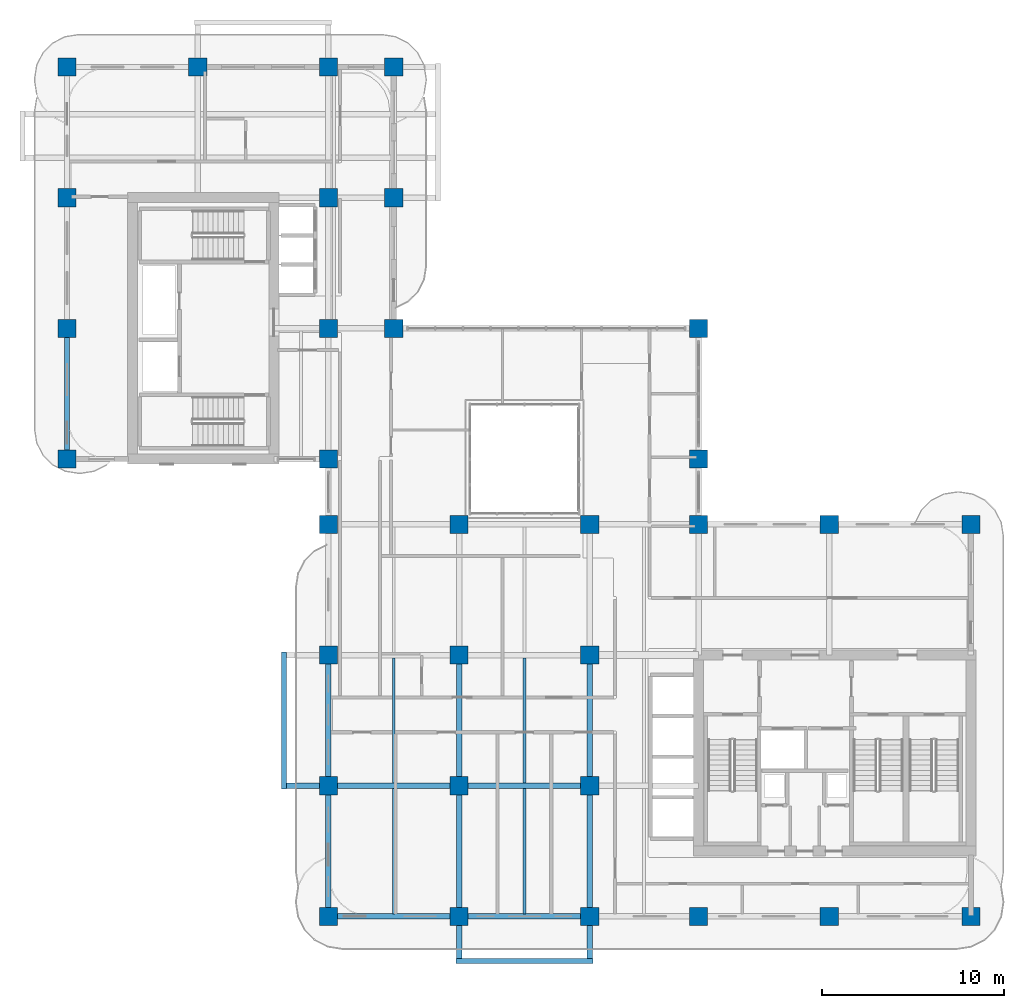
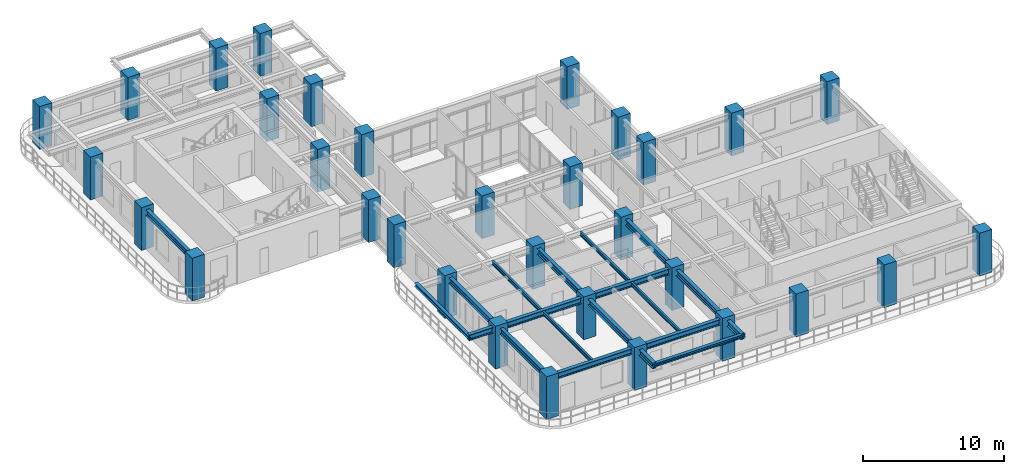
# One storey, part 1 of 21: 32 columns, 17 beams.
"""IFC4 building model written with IfcOpenShell, lengths in metres."""

from ifc_helpers import new_model, si_unit, derived_unit, direction, frame, origin, origin_2d, place, context, subcontext, project, spatial, rectangle, i_section, extrude, source, transform, mapped, material, material_profile, profile_set, type_object, type_shapes, element, save


model = new_model("IFC4")

# Units and contexts
model_context = context("Model", 3, precision=1e-05, world=origin(), true_north=direction((0.0, 1.0)))
body_context = subcontext(model_context, "Body", "Model", "MODEL_VIEW")
ifc_project = project(units=[si_unit("LENGTHUNIT", "METRE"), si_unit("AREAUNIT", "SQUARE_METRE"), si_unit("VOLUMEUNIT", "CUBIC_METRE"), si_unit("PLANEANGLEUNIT", "RADIAN"), si_unit("MASSUNIT", "GRAM", prefix="KILO"), si_unit("THERMODYNAMICTEMPERATUREUNIT", "KELVIN"), si_unit("POWERUNIT", "WATT"), derived_unit("THERMALTRANSMITTANCEUNIT", [(si_unit("POWERUNIT", "WATT"), 1), (si_unit("AREAUNIT", "SQUARE_METRE"), -1), (si_unit("THERMODYNAMICTEMPERATUREUNIT", "KELVIN"), -1)])], contexts=[model_context])

# Site, building, storey
site_placement = place(None, origin())
site = spatial("IfcSite", under=ifc_project, at=site_placement, CompositionType="ELEMENT")
building_placement = place(site_placement, origin())
building = spatial("IfcBuilding", under=site, at=building_placement, Name="Zahravan Archway Hotel and Residences", CompositionType="ELEMENT")
storey_placement = place(building_placement, frame((0.0, 0.0, 141.39990234375)))
storey = spatial("IfcBuildingStorey", under=building, at=storey_placement, Name="L35", CompositionType="ELEMENT", Elevation=141.39990234375)

# Columns
ifc_material_1 = material(Name="Concrete C60/75", Category="concrete")
ifc_material_profile_1 = material_profile(ifc_material_1, rectangle(XDim=1.0, YDim=1.0, at=origin_2d()), Name="RC-COL-1000x1000", Category="concrete")
ifc_profile_set_1 = profile_set([ifc_material_profile_1], Name="Concrete C60/75")
column_type = type_object("IfcColumnType", Name="COL-RC-1000", PredefinedType="COLUMN", material=ifc_profile_set_1)
shared_shape_1 = source(origin(), body_context, "Body", "SweptSolid", [
    extrude(rectangle(XDim=1.0, YDim=1.0, at=origin_2d()), origin(), (0.0, 0.0, 1.0), 3.7001953125),
])
for number, where, z_axis, x_axis, name in (
    (1, (0.0, 25.199951171875, 0.0), (0.0, 0.0, 1.0), (1.0, 0.0, 0.0), "L35 Column 1-E"),
    (2, (0.0, 32.39990234375, 0.0), (0.0, 0.0, 1.0), (1.0, 0.0, 0.0), "L35 Column 1-F"),
    (3, (0.0, 39.60009765625, 0.0), (0.0, 0.0, 1.0), (1.0, 0.0, 0.0), "L35 Column 1-G"),
    (4, (0.0, 46.800048828125, 0.0), (0.0, 0.0, 1.0), (1.0, 0.0, 0.0), "L35 Column 1-H"),
    (5, (7.199951171875, 46.800048828125, 0.0), (0.0, 0.0, 1.0), (1.0, 0.0, 0.0), "L35 Column 2-H"),
    (6, (14.39990234375, 0.0, 0.0), (0.0, 0.0, 1.0), (1.0, 0.0, 0.0), "L35 Column 3-A"),
    (7, (14.39990234375, 7.199951171875, 0.0), (0.0, 0.0, 1.0), (1.0, 0.0, 0.0), "L35 Column 3-B"),
    (8, (14.39990234375, 14.39990234375, 0.0), (0.0, 0.0, 1.0), (1.0, 0.0, 0.0), "L35 Column 3-C"),
    (9, (14.39990234375, 21.60009765625, 0.0), (0.0, 0.0, 1.0), (1.0, 0.0, 0.0), "L35 Column 3-D"),
    (10, (14.39990234375, 25.199951171875, 0.0), (0.0, 0.0, 1.0), (1.0, 0.0, 0.0), "L35 Column 3-E"),
    (11, (14.39990234375, 32.39990234375, 0.0), (0.0, 0.0, 1.0), (1.0, 0.0, 0.0), "L35 Column 3-F"),
    (12, (14.39990234375, 39.60009765625, 0.0), (0.0, 0.0, 1.0), (1.0, 0.0, 0.0), "L35 Column 3-G"),
    (13, (14.39990234375, 46.800048828125, 0.0), (0.0, 0.0, 1.0), (1.0, 0.0, 0.0), "L35 Column 3-H"),
    (14, (21.60009765625, 0.0, 0.0), (0.0, 0.0, 1.0), (1.0, 0.0, 0.0), "L35 Column 4-A"),
    (15, (21.60009765625, 7.199951171875, 0.0), (0.0, 0.0, 1.0), (1.0, 0.0, 0.0), "L35 Column 4-B"),
    (16, (21.60009765625, 14.39990234375, 0.0), (0.0, 0.0, 1.0), (1.0, 0.0, 0.0), "L35 Column 4-C"),
    (17, (21.60009765625, 21.60009765625, 0.0), (0.0, 0.0, 1.0), (1.0, 0.0, 0.0), "L35 Column 4-D"),
    (18, (28.800048828125, 0.0, 0.0), (0.0, 0.0, 1.0), (1.0, 0.0, 0.0), "L35 Column 5-A"),
    (19, (28.800048828125, 7.199951171875, 0.0), (0.0, 0.0, 1.0), (1.0, 0.0, 0.0), "L35 Column 5-B"),
    (20, (28.800048828125, 14.39990234375, 0.0), (0.0, 0.0, 1.0), (1.0, 0.0, 0.0), "L35 Column 5-C"),
    (21, (28.800048828125, 21.60009765625, 0.0), (0.0, 0.0, 1.0), (1.0, 0.0, 0.0), "L35 Column 5-D"),
    (22, (34.800048828125, 0.0, 0.0), (0.0, 0.0, 1.0), (1.0, 0.0, 0.0), "L35 Column 6-A"),
    (23, (34.800048828125, 21.60009765625, 0.0), (0.0, 0.0, 1.0), (1.0, 0.0, 0.0), "L35 Column 6-D"),
    (24, (34.800048828125, 25.199951171875, 0.0), (0.0, 0.0, 1.0), (1.0, 0.0, 0.0), "L35 Column 6-E"),
    (25, (34.800048828125, 32.39990234375, 0.0), (0.0, 0.0, 1.0), (1.0, 0.0, 0.0), "L35 Column 6-F"),
    (26, (42.0, 0.0, 0.0), (0.0, 0.0, 1.0), (1.0, 0.0, 0.0), "L35 Column 7-A"),
    (27, (42.0, 21.60009765625, 0.0), (0.0, 0.0, 1.0), (1.0, 0.0, 0.0), "L35 Column 7-D"),
    (28, (49.800048828125, 0.0, 0.0), (0.0, 0.0, 1.0), (1.0, 0.0, 0.0), "L35 Column 8-A"),
    (29, (49.800048828125, 21.60009765625, 0.0), (0.0, 0.0, 1.0), (1.0, 0.0, 0.0), "L35 Column 8-D"),
    (30, (18.0, 32.39990234375, 0.0), (0.0, 0.0, 1.0), (1.0, 0.0, 0.0), "L35 Column 3B-F"),
    (31, (18.0, 39.60009765625, 0.0), (0.0, 0.0, 1.0), (1.0, 0.0, 0.0), "L35 Column 3B-G"),
    (32, (18.0, 46.800048828125, 0.0), (0.0, 0.0, 1.0), (1.0, 0.0, 0.0), "L35 Column 3B-H"),
):
    element("IfcColumn", number, at=place(storey_placement, frame(where, z_axis=z_axis, x_axis=x_axis)), inside=storey, type_object=column_type, Name=name, PredefinedType="COLUMN", context=body_context, shape_type="MappedRepresentation", body=[
        mapped(shared_shape_1, transform((0.0, 0.0, 0.0), scale=1.0)),
    ])

# Beams
ifc_material_2 = material(Name="Structural Steel S355JR", Category="steel")
ifc_material_profile_2 = material_profile(ifc_material_2, i_section(OverallWidth=0.280029296875, OverallDepth=0.280029296875, WebThickness=0.010498046875, FlangeThickness=0.01806640625, FilletRadius=0.02392578125, at=origin_2d()), Name="HEB 280", Category="steel")
ifc_profile_set_2 = profile_set([ifc_material_profile_2], Name="Structural Steel S355JR")
beam_type_1 = type_object("IfcBeamType", Name="BM-SPN-HEB280", PredefinedType="SPANDREL", material=ifc_profile_set_2)
shared_shape_2 = source(origin(), body_context, "Body", "SweptSolid", [
    extrude(i_section(OverallWidth=0.280029296875, OverallDepth=0.280029296875, WebThickness=0.010498046875, FlangeThickness=0.01806640625, FilletRadius=0.02392578125, at=origin_2d()), origin(), (0.0, 0.0, 1.0), 7.56005859375),
])
type_shapes(beam_type_1, [shared_shape_2])
for number, where, z_axis, x_axis, name in (
    (33, (11.949951171875, 7.02001953125, 3.260009765625), (0.0, 1.0, 0.0), (-1.0, 0.0, 0.0), "L36 WA Balcony Edge Spandrel"),
    (34, (21.419921875, -2.449951171875, 3.260009765625), (1.0, 0.0, 0.0), (0.0, 1.0, 0.0), "L36 SA Balcony Edge Spandrel"),
):
    element("IfcBeam", number, at=place(storey_placement, frame(where, z_axis=z_axis, x_axis=x_axis)), inside=storey, type_object=beam_type_1, Name=name, PredefinedType="SPANDREL", context=body_context, shape_type="MappedRepresentation", body=[
        mapped(shared_shape_2, transform((0.0, 0.0, 0.0), scale=1.0)),
    ])
ifc_material_profile_3 = material_profile(ifc_material_2, i_section(OverallWidth=0.300048828125, OverallDepth=0.5, WebThickness=0.014404296875, FlangeThickness=0.028076171875, FilletRadius=0.027099609375, at=origin_2d()), Name="HEB 500", Category="steel")
ifc_profile_set_3 = profile_set([ifc_material_profile_3], Name="Structural Steel S355JR")
beam_type_2 = type_object("IfcBeamType", Name="BM-PRI-HEB500", PredefinedType="BEAM", material=ifc_profile_set_3)
shared_shape_3 = source(origin(), body_context, "Body", "SweptSolid", [
    extrude(i_section(OverallWidth=0.300048828125, OverallDepth=0.5, WebThickness=0.014404296875, FlangeThickness=0.028076171875, FilletRadius=0.027099609375, at=origin_2d()), origin(), (0.0, 0.0, 1.0), 7.2001953125),
])
type_shapes(beam_type_2, [shared_shape_3])
beam_1_placement = place(storey_placement, frame((14.39990234375, 0.0, 3.150146484375), z_axis=(1.0, 0.0, 0.0), x_axis=(0.0, 1.0, 0.0)))
element("IfcBeam", 35, at=beam_1_placement, inside=storey, type_object=beam_type_2, Name="L35 Primary Girder EW-01", PredefinedType="BEAM", context=body_context, shape_type="MappedRepresentation", body=[
    mapped(shared_shape_3, transform((0.0, 0.0, 0.0), scale=1.0)),
])
shared_shape_4 = source(origin(), body_context, "Body", "SweptSolid", [
    extrude(i_section(OverallWidth=0.300048828125, OverallDepth=0.5, WebThickness=0.014404296875, FlangeThickness=0.028076171875, FilletRadius=0.027099609375, at=origin_2d()), origin(), (0.0, 0.0, 1.0), 7.199951171875),
])
for number, where, z_axis, x_axis, name in (
    (36, (21.60009765625, 0.0, 3.150146484375), (1.0, 0.0, 0.0), (0.0, 1.0, 0.0), "L35 Primary Girder EW-02"),
    (37, (21.60009765625, 7.199951171875, 3.150146484375), (1.0, 0.0, 0.0), (0.0, 1.0, 0.0), "L35 Primary Girder EW-07"),
    (38, (0.0, 25.199951171875, 3.150146484375), (0.0, 1.0, 0.0), (-1.0, 0.0, 0.0), "L35 Primary Girder NS-24"),
    (39, (14.39990234375, 0.0, 3.150146484375), (0.0, 1.0, 0.0), (-1.0, 0.0, 0.0), "L35 Primary Girder NS-28"),
    (40, (14.39990234375, 7.199951171875, 3.150146484375), (0.0, 1.0, 0.0), (-1.0, 0.0, 0.0), "L35 Primary Girder NS-29"),
    (41, (21.60009765625, 7.199951171875, 3.150146484375), (0.0, 1.0, 0.0), (-1.0, 0.0, 0.0), "L35 Primary Girder NS-36"),
    (42, (28.800048828125, 7.199951171875, 3.150146484375), (0.0, 1.0, 0.0), (-1.0, 0.0, 0.0), "L35 Primary Girder NS-39"),
):
    element("IfcBeam", number, at=place(storey_placement, frame(where, z_axis=z_axis, x_axis=x_axis)), inside=storey, type_object=beam_type_2, Name=name, PredefinedType="BEAM", context=body_context, shape_type="MappedRepresentation", body=[
        mapped(shared_shape_4, transform((0.0, 0.0, 0.0), scale=1.0)),
    ])
shared_shape_5 = source(origin(), body_context, "Body", "SweptSolid", [
    extrude(i_section(OverallWidth=0.300048828125, OverallDepth=0.5, WebThickness=0.014404296875, FlangeThickness=0.028076171875, FilletRadius=0.027099609375, at=origin_2d()), origin(), (0.0, 0.0, 1.0), 9.650146484375),
])
beam_2_placement = place(storey_placement, frame((11.949951171875, 7.199951171875, 3.150146484375), z_axis=(1.0, 0.0, 0.0), x_axis=(0.0, 1.0, 0.0)))
element("IfcBeam", 43, at=beam_2_placement, inside=storey, type_object=beam_type_2, Name="L35 Primary Girder EW-06", PredefinedType="BEAM", context=body_context, shape_type="MappedRepresentation", body=[
    mapped(shared_shape_5, transform((0.0, 0.0, 0.0), scale=1.0)),
])
shared_shape_6 = source(origin(), body_context, "Body", "SweptSolid", [
    extrude(i_section(OverallWidth=0.300048828125, OverallDepth=0.5, WebThickness=0.014404296875, FlangeThickness=0.028076171875, FilletRadius=0.027099609375, at=origin_2d()), origin(), (0.0, 0.0, 1.0), 9.64990234375),
])
for number, where, z_axis, x_axis, name in (
    (44, (21.60009765625, -2.449951171875, 3.150146484375), (0.0, 1.0, 0.0), (-1.0, 0.0, 0.0), "L35 Primary Girder NS-35"),
    (45, (28.800048828125, -2.449951171875, 3.150146484375), (0.0, 1.0, 0.0), (-1.0, 0.0, 0.0), "L35 Primary Girder NS-38"),
):
    element("IfcBeam", number, at=place(storey_placement, frame(where, z_axis=z_axis, x_axis=x_axis)), inside=storey, type_object=beam_type_2, Name=name, PredefinedType="BEAM", context=body_context, shape_type="MappedRepresentation", body=[
        mapped(shared_shape_6, transform((0.0, 0.0, 0.0), scale=1.0)),
    ])
ifc_material_profile_4 = material_profile(ifc_material_2, i_section(OverallWidth=0.159912109375, OverallDepth=0.330078125, WebThickness=0.007568359375, FlangeThickness=0.011474609375, FilletRadius=0.01806640625, at=origin_2d()), Name="IPE 330", Category="steel")
ifc_profile_set_4 = profile_set([ifc_material_profile_4], Name="Structural Steel S355JR")
beam_type_3 = type_object("IfcBeamType", Name="BM-JST-IPE330", PredefinedType="JOIST", material=ifc_profile_set_4)
shared_shape_7 = source(origin(), body_context, "Body", "SweptSolid", [
    extrude(i_section(OverallWidth=0.159912109375, OverallDepth=0.330078125, WebThickness=0.007568359375, FlangeThickness=0.011474609375, FilletRadius=0.01806640625, at=origin_2d()), origin(), (0.0, 0.0, 1.0), 6.904052734375),
])
type_shapes(beam_type_3, [shared_shape_7])
for number, where, z_axis, x_axis, name in (
    (46, (18.0, 0.14794921875, 3.235107421875), (0.0, 1.0, 0.0), (-1.0, 0.0, 0.0), "L35 Composite Floor Joist 01"),
    (47, (25.199951171875, 0.14794921875, 3.235107421875), (0.0, 1.0, 0.0), (-1.0, 0.0, 0.0), "L35 Composite Floor Joist 02"),
    (48, (18.0, 7.347900390625, 3.235107421875), (0.0, 1.0, 0.0), (-1.0, 0.0, 0.0), "L35 Composite Floor Joist 04"),
    (49, (25.199951171875, 7.347900390625, 3.235107421875), (0.0, 1.0, 0.0), (-1.0, 0.0, 0.0), "L35 Composite Floor Joist 05"),
):
    element("IfcBeam", number, at=place(storey_placement, frame(where, z_axis=z_axis, x_axis=x_axis)), inside=storey, type_object=beam_type_3, Name=name, PredefinedType="JOIST", context=body_context, shape_type="MappedRepresentation", body=[
        mapped(shared_shape_7, transform((0.0, 0.0, 0.0), scale=1.0)),
    ])

save(model, "model.ifc")
